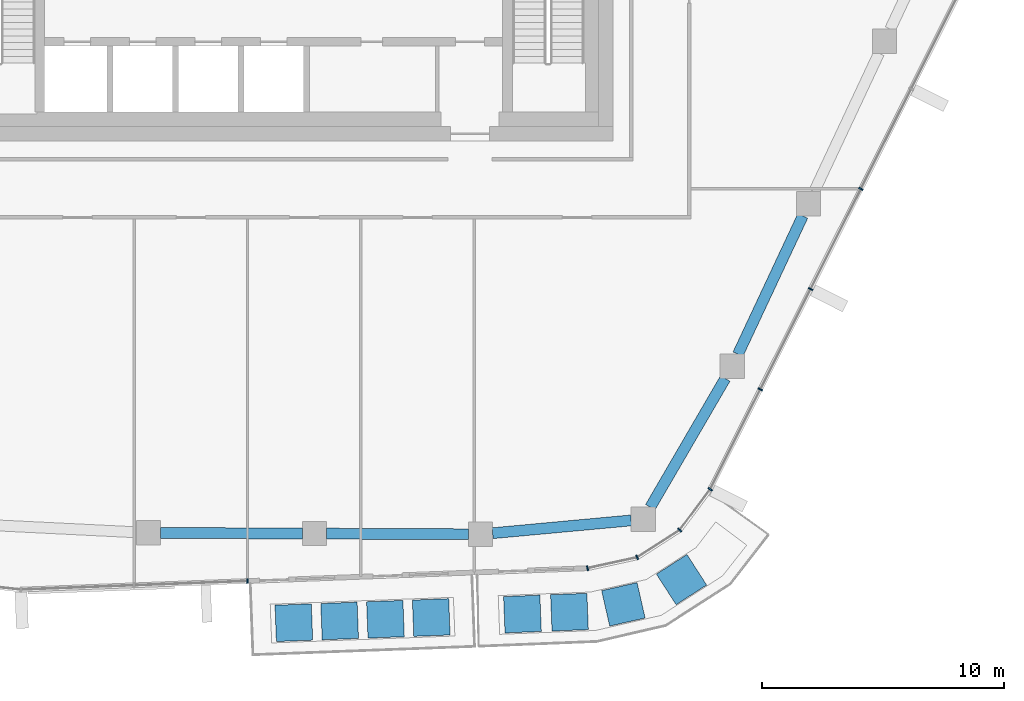
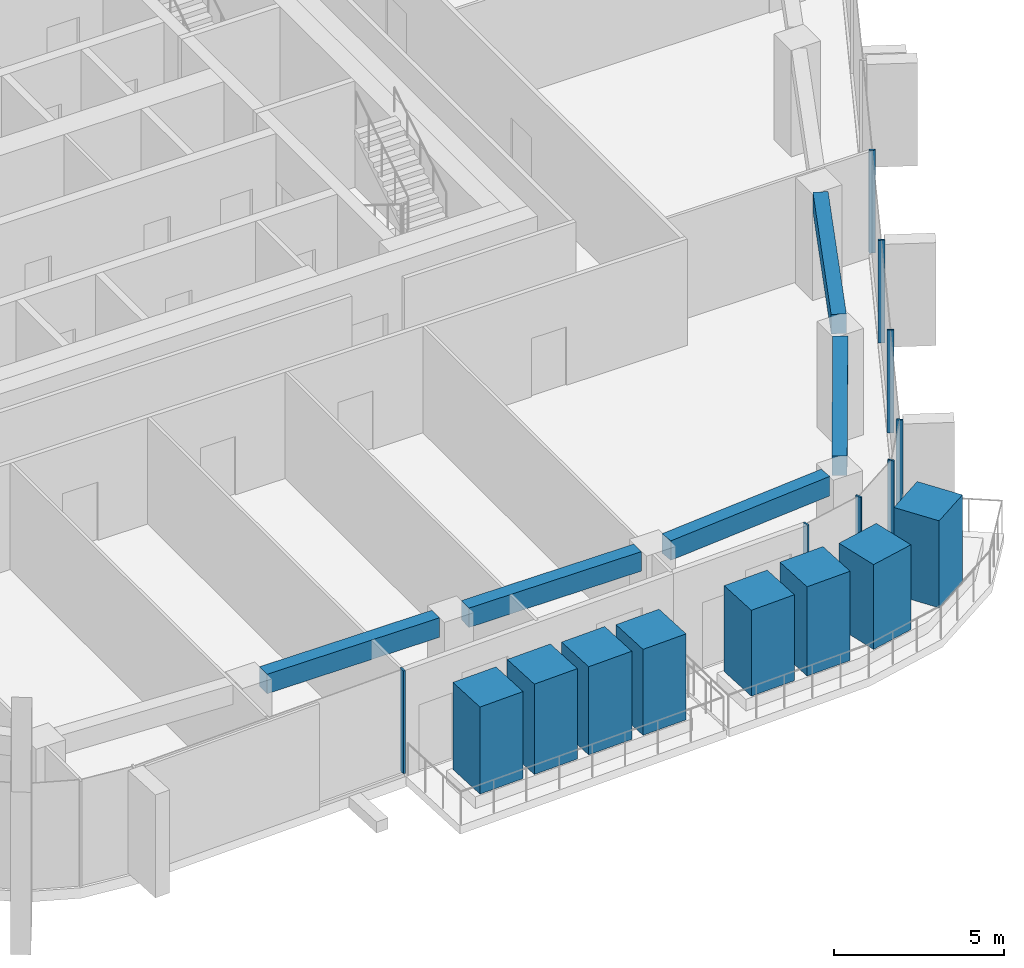
# One storey, part 4 of 24: 16 members, 5 beams, 3 elements without a shape of their own.
"""IFC4 building model written with IfcOpenShell, lengths in metres."""

from ifc_helpers import new_model, si_unit, direction, frame, origin, origin_2d, place, context, subcontext, project, spatial, rectangle, extrude, material, layer, layer_set, material_profile, profile_set, type_object, element, aggregate, save


model = new_model("IFC4")

# Units and contexts
model_context = context("Model", 3, precision=1e-05, world=origin(), true_north=direction((0.0, 1.0)))
body_context = subcontext(model_context, "Body", "Model", "MODEL_VIEW")
ifc_project = project(units=[si_unit("LENGTHUNIT", "METRE"), si_unit("AREAUNIT", "SQUARE_METRE"), si_unit("VOLUMEUNIT", "CUBIC_METRE"), si_unit("PLANEANGLEUNIT", "RADIAN"), si_unit("MASSUNIT", "GRAM", prefix="KILO")], contexts=[model_context])

# Site, building, storey
site_placement = place(None, origin())
site = spatial("IfcSite", under=ifc_project, at=site_placement, CompositionType="ELEMENT")
building_placement = place(site_placement, origin())
building = spatial("IfcBuilding", under=site, at=building_placement, Name="Dongbaek Canopy Tower", CompositionType="ELEMENT")
storey_placement = place(building_placement, frame((0.0, 0.0, 306.800048828125)))
storey = spatial("IfcBuildingStorey", under=building, at=storey_placement, Name="L65", CompositionType="ELEMENT", Elevation=306.800048828125)

# Curtain wall, member
ifc_material_1 = material(Name="Aluminium 6063-T6 pale anodised", Category="aluminium")
ifc_layer = layer(ifc_material_1, 0.199951171875)
ifc_layer_set = layer_set([ifc_layer], Name="CW-1 unitised tower curtain wall")
curtain_wall_type = type_object("IfcCurtainWallType", Name="CW-1 unitised tower curtain wall", PredefinedType="NOTDEFINED", material=ifc_layer_set)
curtain_wall_1_placement = place(storey_placement, origin())
curtain_wall_1 = element("IfcCurtainWall", 1, at=curtain_wall_1_placement, inside=storey, type_object=curtain_wall_type, Name="CW-1 curtain wall F4.1", PredefinedType="NOTDEFINED")
ifc_material_2 = material(Name="Aluminium 6063-T6 pale anodised", Category="aluminium")
ifc_material_profile_1 = material_profile(ifc_material_2, rectangle(XDim=0.199951171875, YDim=0.06005859375, at=origin_2d()), Name="CW-1 mullion 60 x 200")
ifc_profile_set_1 = profile_set([ifc_material_profile_1], Name="Aluminium 6063-T6 pale anodised")
member_type_1 = type_object("IfcMemberType", Name="CW-1 mullion 60 x 200", PredefinedType="MULLION", material=ifc_profile_set_1)
member_1_placement = place(storey_placement, frame((-1.078857421875, -29.155517578125, 0.119873046875), z_axis=(0.0, 0.0, 1.0), x_axis=(0.037712000431, -0.999288649502, 0.0)))
member_1 = element("IfcMember", 2, at=member_1_placement, type_object=member_type_1, Name="CW-1 mullion F4.1.3", PredefinedType="MULLION", context=body_context, shape_type="SweptSolid", body=[
    extrude(rectangle(XDim=0.199951171875, YDim=0.06005859375, at=origin_2d()), origin(), (0.0, 0.0, 1.0), 3.7001953125),
])
aggregate(curtain_wall_1, [member_1])

# Curtain wall, members
curtain_wall_2_placement = place(storey_placement, origin())
curtain_wall_2 = element("IfcCurtainWall", 3, at=curtain_wall_2_placement, inside=storey, type_object=curtain_wall_type, Name="CW-1 curtain wall K5.1", PredefinedType="NOTDEFINED")
member_2_placement = place(storey_placement, frame((12.949951171875, -28.6259765625, 0.0), z_axis=(0.0, 0.0, 1.0), x_axis=(0.21403199366, -0.976826650788, 0.0)))
member_2 = element("IfcMember", 4, at=member_2_placement, type_object=member_type_1, Name="CW-1 mullion K5.1.1", PredefinedType="MULLION", context=body_context, shape_type="SweptSolid", body=[
    extrude(rectangle(XDim=0.199951171875, YDim=0.06005859375, at=origin_2d()), origin(), (0.0, 0.0, 1.0), 3.820068359375),
])
member_3_placement = place(storey_placement, frame((14.9990234375, -28.177001953125, 0.0), z_axis=(0.0, 0.0, 1.0), x_axis=(0.383590013884, -0.923503492819, 0.0)))
member_3 = element("IfcMember", 5, at=member_3_placement, type_object=member_type_1, Name="CW-1 mullion K5.1.2", PredefinedType="MULLION", context=body_context, shape_type="SweptSolid", body=[
    extrude(rectangle(XDim=0.199951171875, YDim=0.06005859375, at=origin_2d()), origin(), (0.0, 0.0, 1.0), 3.820068359375),
])
member_4_placement = place(storey_placement, frame((16.75537109375, -27.047119140625, 0.0), z_axis=(0.0, 0.0, 1.0), x_axis=(0.681375433119, -0.731934094807, 0.0)))
member_4 = element("IfcMember", 6, at=member_4_placement, type_object=member_type_1, Name="CW-1 mullion K5.1.3", PredefinedType="MULLION", context=body_context, shape_type="SweptSolid", body=[
    extrude(rectangle(XDim=0.199951171875, YDim=0.06005859375, at=origin_2d()), origin(), (0.0, 0.0, 1.0), 3.820068359375),
])
member_5_placement = place(storey_placement, frame((18.013427734375, -25.36865234375, 0.0), z_axis=(0.0, 0.0, 1.0), x_axis=(0.800194813584, -0.599740160664, 0.0)))
member_5 = element("IfcMember", 7, at=member_5_placement, type_object=member_type_1, Name="CW-1 mullion K5.1.4", PredefinedType="MULLION", context=body_context, shape_type="SweptSolid", body=[
    extrude(rectangle(XDim=0.199951171875, YDim=0.06005859375, at=origin_2d()), origin(), (0.0, 0.0, 1.0), 3.820068359375),
])
aggregate(curtain_wall_2, [member_2, member_3, member_4, member_5])

curtain_wall_3_placement = place(storey_placement, origin())
curtain_wall_3 = element("IfcCurtainWall", 8, at=curtain_wall_3_placement, inside=storey, type_object=curtain_wall_type, Name="CW-1 curtain wall F5.1", PredefinedType="NOTDEFINED")
member_6_placement = place(storey_placement, frame((20.08447265625, -21.24267578125, 0.119873046875), z_axis=(0.0, 0.0, 1.0), x_axis=(0.893733414129, -0.448598466859, 0.0)))
member_6 = element("IfcMember", 9, at=member_6_placement, type_object=member_type_1, Name="CW-1 mullion F5.1.2", PredefinedType="MULLION", context=body_context, shape_type="SweptSolid", body=[
    extrude(rectangle(XDim=0.199951171875, YDim=0.06005859375, at=origin_2d()), origin(), (0.0, 0.0, 1.0), 3.7001953125),
])
member_7_placement = place(storey_placement, frame((22.159423828125, -17.10888671875, 0.119873046875), z_axis=(0.0, 0.0, 1.0), x_axis=(0.893733414129, -0.448598466859, 0.0)))
member_7 = element("IfcMember", 10, at=member_7_placement, type_object=member_type_1, Name="CW-1 mullion F5.1.3", PredefinedType="MULLION", context=body_context, shape_type="SweptSolid", body=[
    extrude(rectangle(XDim=0.199951171875, YDim=0.06005859375, at=origin_2d()), origin(), (0.0, 0.0, 1.0), 3.7001953125),
])
member_8_placement = place(storey_placement, frame((24.234375, -12.97509765625, 0.119873046875), z_axis=(0.0, 0.0, 1.0), x_axis=(0.893733414129, -0.448598466859, 0.0)))
member_8 = element("IfcMember", 11, at=member_8_placement, type_object=member_type_1, Name="CW-1 mullion F5.1.4", PredefinedType="MULLION", context=body_context, shape_type="SweptSolid", body=[
    extrude(rectangle(XDim=0.199951171875, YDim=0.06005859375, at=origin_2d()), origin(), (0.0, 0.0, 1.0), 3.7001953125),
])
aggregate(curtain_wall_3, [member_6, member_7, member_8])

# Beams
ifc_material_3 = material(Name="Concrete C60", Category="concrete")
ifc_material_profile_2 = material_profile(ifc_material_3, rectangle(XDim=0.449951171875, YDim=0.699951171875, at=origin_2d()), Name="RC EDGE BEAM 450x700 C60")
ifc_profile_set_2 = profile_set([ifc_material_profile_2], Name="Concrete C60")
beam_type = type_object("IfcBeamType", Name="RC EDGE BEAM 450x700 C60", PredefinedType="BEAM", material=ifc_profile_set_2)
beam_1_placement = place(storey_placement, frame((14.751953125, -26.653076171875, 3.469970703125), z_axis=(-0.995766439544, -0.091919518479, 0.0), x_axis=(0.091919518479, -0.995766439544, 0.0)))
element("IfcBeam", 12, at=beam_1_placement, inside=storey, type_object=beam_type, Name="EDGEBEAM:L65:00", PredefinedType="BEAM", context=body_context, shape_type="SweptSolid", body=[
    extrude(rectangle(XDim=0.449951171875, YDim=0.699951171875, at=origin_2d()), origin(), (0.0, 0.0, 1.0), 5.742431640625),
])
beam_2_placement = place(storey_placement, frame((8.033935546875, -27.224853515625, 3.469970703125), z_axis=(-0.999990401851, 0.004381347473, 0.0), x_axis=(-0.004381347473, -0.999990401851, 0.0)))
element("IfcBeam", 13, at=beam_2_placement, inside=storey, type_object=beam_type, Name="EDGEBEAM:L65:01", PredefinedType="BEAM", context=body_context, shape_type="SweptSolid", body=[
    extrude(rectangle(XDim=0.449951171875, YDim=0.699951171875, at=origin_2d()), origin(), (0.0, 0.0, 1.0), 5.850830078125),
])
beam_3_placement = place(storey_placement, frame((1.18310546875, -27.19482421875, 3.469970703125), z_axis=(-0.999990396242, 0.004382627582, 0.0), x_axis=(-0.004382627582, -0.999990396242, 0.0)))
element("IfcBeam", 14, at=beam_3_placement, inside=storey, type_object=beam_type, Name="EDGEBEAM:L65:02", PredefinedType="BEAM", context=body_context, shape_type="SweptSolid", body=[
    extrude(rectangle(XDim=0.449951171875, YDim=0.699951171875, at=origin_2d()), origin(), (0.0, 0.0, 1.0), 5.84912109375),
])
beam_4_placement = place(storey_placement, frame((21.833740234375, -14.087890625, 3.469970703125), z_axis=(-0.424294949226, -0.905524044993, 0.0), x_axis=(0.905524044993, -0.424294949226, 0.0)))
element("IfcBeam", 15, at=beam_4_placement, inside=storey, type_object=beam_type, Name="EDGEBEAM:L65:24", PredefinedType="BEAM", context=body_context, shape_type="SweptSolid", body=[
    extrude(rectangle(XDim=0.449951171875, YDim=0.699951171875, at=origin_2d()), origin(), (0.0, 0.0, 1.0), 6.303466796875),
])
beam_5_placement = place(storey_placement, frame((18.634033203125, -20.7958984375, 3.469970703125), z_axis=(-0.503016078482, -0.864277053258, 0.0), x_axis=(0.864277053258, -0.503016078482, 0.0)))
element("IfcBeam", 16, at=beam_5_placement, inside=storey, type_object=beam_type, Name="EDGEBEAM:L65:25", PredefinedType="BEAM", context=body_context, shape_type="SweptSolid", body=[
    extrude(rectangle(XDim=0.449951171875, YDim=0.699951171875, at=origin_2d()), origin(), (0.0, 0.0, 1.0), 6.14501953125),
])

# Members
ifc_material_4 = material(Name="Concrete C40/50 planter mass with planting", Category="concrete")
ifc_material_profile_3 = material_profile(ifc_material_4, rectangle(XDim=1.5, YDim=1.5, at=origin_2d()), Name="Terrace PLANTER shrub mass 1500 x 1500")
ifc_profile_set_3 = profile_set([ifc_material_profile_3], Name="Concrete C40/50 planter mass with planting")
member_type_2 = type_object("IfcMemberType", Name="Terrace PLANTER shrub mass 1500 x 1500", PredefinedType="USERDEFINED", material=ifc_profile_set_3)
member_9_placement = place(storey_placement, frame((0.8330078125, -30.87451171875, 0.419921875), z_axis=(0.0, 0.0, 1.0), x_axis=(0.037712000431, -0.999288649502, 0.0)))
element("IfcMember", 17, at=member_9_placement, inside=storey, type_object=member_type_2, Name="Planter shrubs L65 4.1", ObjectType="PLANTER", PredefinedType="USERDEFINED", context=body_context, shape_type="SweptSolid", body=[
    extrude(rectangle(XDim=1.5, YDim=1.5, at=origin_2d()), origin(), (0.0, 0.0, 1.0), 3.130126953125),
])
member_10_placement = place(storey_placement, frame((2.722900390625, -30.80322265625, 0.419921875), z_axis=(0.0, 0.0, 1.0), x_axis=(0.037712000431, -0.999288649502, 0.0)))
element("IfcMember", 18, at=member_10_placement, inside=storey, type_object=member_type_2, Name="Planter shrubs L65 4.2", ObjectType="PLANTER", PredefinedType="USERDEFINED", context=body_context, shape_type="SweptSolid", body=[
    extrude(rectangle(XDim=1.5, YDim=1.5, at=origin_2d()), origin(), (0.0, 0.0, 1.0), 3.25),
])
member_11_placement = place(storey_placement, frame((4.61279296875, -30.73193359375, 0.419921875), z_axis=(0.0, 0.0, 1.0), x_axis=(0.037712000431, -0.999288649502, 0.0)))
element("IfcMember", 19, at=member_11_placement, inside=storey, type_object=member_type_2, Name="Planter shrubs L65 4.3", ObjectType="PLANTER", PredefinedType="USERDEFINED", context=body_context, shape_type="SweptSolid", body=[
    extrude(rectangle(XDim=1.5, YDim=1.5, at=origin_2d()), origin(), (0.0, 0.0, 1.0), 3.169921875),
])
for number, where, z_axis, x_axis, name in (
    (20, (6.502685546875, -30.66064453125, 0.419921875), (0.0, 0.0, 1.0), (0.037712000431, -0.999288649502, 0.0), "Planter shrubs L65 4.4"),
    (21, (10.266357421875, -30.516845703125, 0.419921875), (0.0, 0.0, 1.0), (0.039433003333, -0.999222216651, 0.0), "Planter shrubs L65 7.1"),
):
    element("IfcMember", number, at=place(storey_placement, frame(where, z_axis=z_axis, x_axis=x_axis)), inside=storey, type_object=member_type_2, Name=name, ObjectType="PLANTER", PredefinedType="USERDEFINED", context=body_context, shape_type="SweptSolid", body=[
        extrude(rectangle(XDim=1.5, YDim=1.5, at=origin_2d()), origin(), (0.0, 0.0, 1.0), 3.090087890625),
    ])
member_12_placement = place(storey_placement, frame((12.206298828125, -30.4404296875, 0.419921875), z_axis=(0.0, 0.0, 1.0), x_axis=(0.039433003333, -0.999222216651, 0.0)))
element("IfcMember", 22, at=member_12_placement, inside=storey, type_object=member_type_2, Name="Planter shrubs L65 7.2", ObjectType="PLANTER", PredefinedType="USERDEFINED", context=body_context, shape_type="SweptSolid", body=[
    extrude(rectangle(XDim=1.5, YDim=1.5, at=origin_2d()), origin(), (0.0, 0.0, 1.0), 3.2099609375),
])
member_13_placement = place(storey_placement, frame((14.43115234375, -30.116943359375, 0.419921875), z_axis=(0.0, 0.0, 1.0), x_axis=(0.221618978148, -0.975133338844, 0.0)))
element("IfcMember", 23, at=member_13_placement, inside=storey, type_object=member_type_2, Name="Planter shrubs L65 7.3", ObjectType="PLANTER", PredefinedType="USERDEFINED", context=body_context, shape_type="SweptSolid", body=[
    extrude(rectangle(XDim=1.5, YDim=1.5, at=origin_2d()), origin(), (0.0, 0.0, 1.0), 3.050048828125),
])
member_14_placement = place(storey_placement, frame((16.831298828125, -29.094970703125, 0.419921875), z_axis=(0.0, 0.0, 1.0), x_axis=(0.541029166858, -0.841003829128, 0.0)))
element("IfcMember", 24, at=member_14_placement, inside=storey, type_object=member_type_2, Name="Planter shrubs L65 7.4", ObjectType="PLANTER", PredefinedType="USERDEFINED", context=body_context, shape_type="SweptSolid", body=[
    extrude(rectangle(XDim=1.5, YDim=1.5, at=origin_2d()), origin(), (0.0, 0.0, 1.0), 3.130126953125),
])

save(model, "model.ifc")
